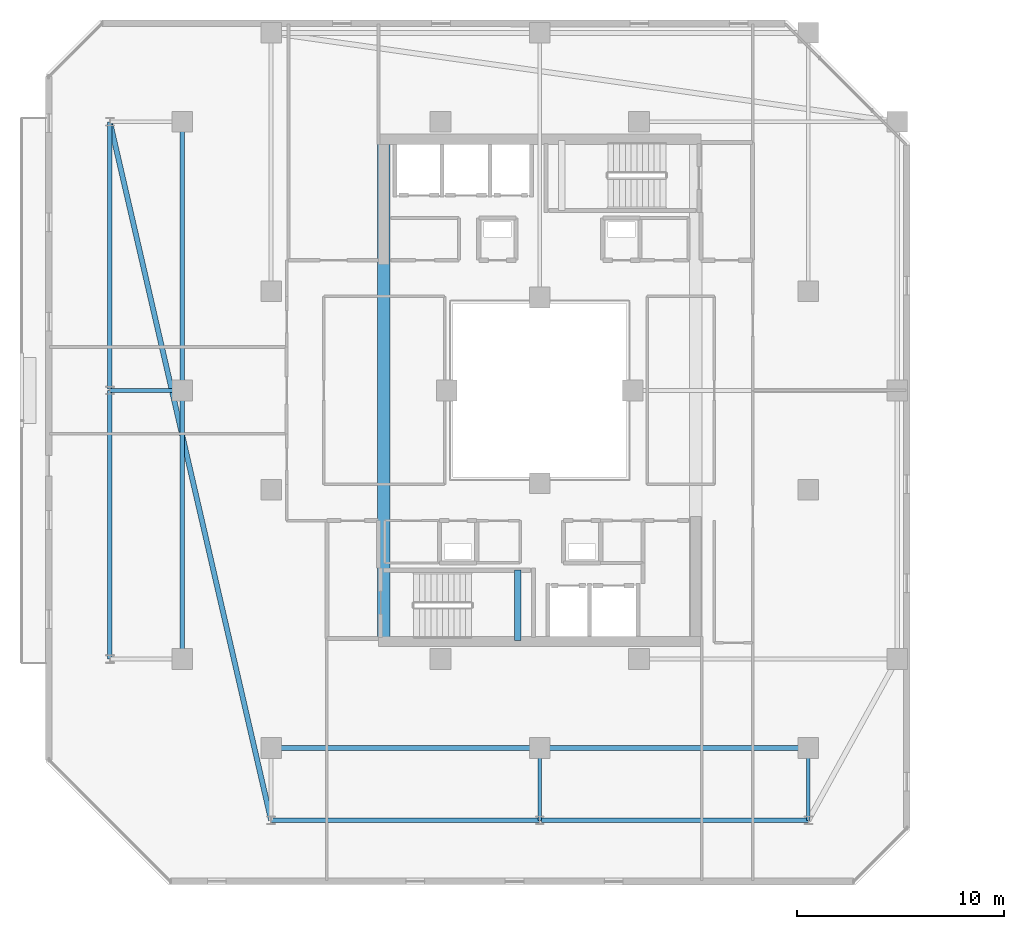
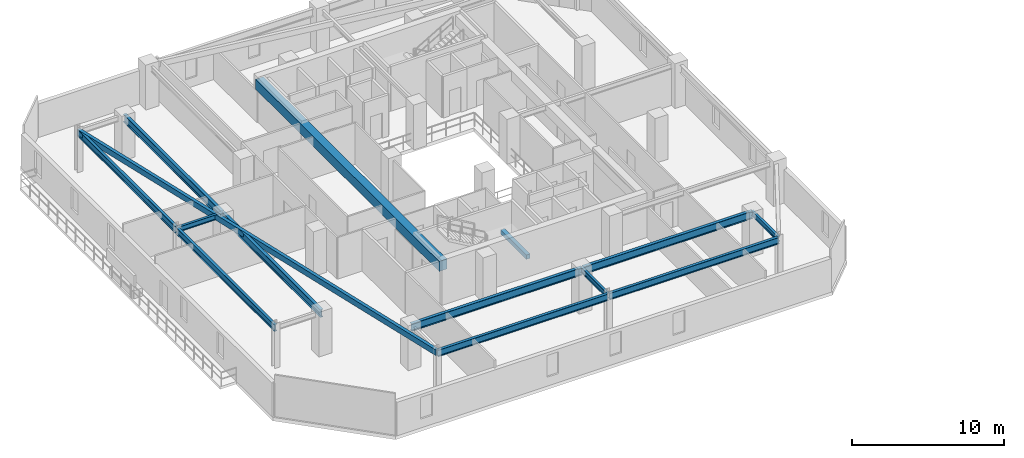
# One storey, part 4 of 31: 14 beams.
"""IFC4 building model written with IfcOpenShell, lengths in metres."""

from ifc_helpers import new_model, si_unit, direction, frame, origin, origin_2d, place, context, subcontext, project, spatial, rectangle, hollow_rectangle, i_section, extrude, material, material_profile, profile_set, type_object, element, save


model = new_model("IFC4")

# Units and contexts
model_context = context("Model", 3, precision=1e-05, world=origin(), true_north=direction((0.0, 1.0)))
body_context = subcontext(model_context, "Body", "Model", "MODEL_VIEW")
ifc_project = project(units=[si_unit("LENGTHUNIT", "METRE"), si_unit("AREAUNIT", "SQUARE_METRE"), si_unit("VOLUMEUNIT", "CUBIC_METRE"), si_unit("PLANEANGLEUNIT", "RADIAN"), si_unit("MASSUNIT", "GRAM", prefix="KILO")], contexts=[model_context])

# Site, building, storey
site_placement = place(None, origin())
site = spatial("IfcSite", under=ifc_project, at=site_placement, CompositionType="ELEMENT")
building_placement = place(site_placement, origin())
building = spatial("IfcBuilding", under=site, at=building_placement, Name="Thornwick Lancets Civic Towers", CompositionType="ELEMENT")
storey_placement = place(building_placement, frame((0.0, 0.0, 233.10009765625)))
storey = spatial("IfcBuildingStorey", under=building, at=storey_placement, Name="L62", CompositionType="ELEMENT", Elevation=233.10009765625)

# Beams
ifc_material_1 = material(Name="Concrete C60/75", Category="concrete")
ifc_material_profile_1 = material_profile(ifc_material_1, rectangle(XDim=0.60009765625, YDim=0.800048828125, at=origin_2d()), Name="RC 600x800")
ifc_profile_set_1 = profile_set([ifc_material_profile_1], Name="Concrete C60/75")
beam_type_1 = type_object("IfcBeamType", Name="BM_COUP_RC800", PredefinedType="BEAM", material=ifc_profile_set_1)
beam_1_placement = place(storey_placement, frame((17.949951171875, 14.89990234375, 2.9599609375), z_axis=(0.0, 1.0, 0.0), x_axis=(-1.0, 0.0, 0.0)))
element("IfcBeam", 1, at=beam_1_placement, inside=storey, type_object=beam_type_1, Name="CB-L62-A2", PredefinedType="BEAM", context=body_context, shape_type="SweptSolid", body=[
    extrude(rectangle(XDim=0.60009765625, YDim=0.800048828125, at=origin_2d()), origin(), (0.0, 0.0, 1.0), 24.2001953125),
])
ifc_material_2 = material(Name="Steel S355JR", Category="steel")
ifc_material_profile_2 = material_profile(ifc_material_2, i_section(OverallWidth=0.210693359375, OverallDepth=0.53955078125, WebThickness=0.01171875, FlangeThickness=0.018798828125, FilletRadius=0.0126953125, at=origin_2d()), Name="UKB 533x210x109")
ifc_profile_set_2 = profile_set([ifc_material_profile_2], Name="Steel S355JR")
beam_type_2 = type_object("IfcBeamType", Name="BM_EDGE_533_109", PredefinedType="SPANDREL", material=ifc_profile_set_2)
beam_2_placement = place(storey_placement, frame((12.5, 6.199951171875, 3.090087890625), z_axis=(1.0, 0.0, 0.0), x_axis=(0.0, 1.0, 0.0)))
element("IfcBeam", 2, at=beam_2_placement, inside=storey, type_object=beam_type_2, Name="BM-EDGE-L62-A-S0-1", PredefinedType="SPANDREL", context=body_context, shape_type="SweptSolid", body=[
    extrude(i_section(OverallWidth=0.210693359375, OverallDepth=0.53955078125, WebThickness=0.01171875, FlangeThickness=0.018798828125, FilletRadius=0.0126953125, at=origin_2d()), origin(), (0.0, 0.0, 1.0), 13.0),
])
beam_3_placement = place(storey_placement, frame((25.580078125, 6.199951171875, 3.090087890625), z_axis=(1.0, 0.0, 0.0), x_axis=(0.0, 1.0, 0.0)))
element("IfcBeam", 3, at=beam_3_placement, inside=storey, type_object=beam_type_2, Name="BM-EDGE-L62-A-S0-2", PredefinedType="SPANDREL", context=body_context, shape_type="SweptSolid", body=[
    extrude(i_section(OverallWidth=0.210693359375, OverallDepth=0.53955078125, WebThickness=0.01171875, FlangeThickness=0.018798828125, FilletRadius=0.0126953125, at=origin_2d()), origin(), (0.0, 0.0, 1.0), 12.919921875),
])
beam_4_placement = place(storey_placement, frame((4.699951171875, 14.0, 3.090087890625), z_axis=(0.0, 1.0, 0.0), x_axis=(-1.0, 0.0, 0.0)))
element("IfcBeam", 4, at=beam_4_placement, inside=storey, type_object=beam_type_2, Name="BM-EDGE-L62-A-S3-1", PredefinedType="SPANDREL", context=body_context, shape_type="SweptSolid", body=[
    extrude(i_section(OverallWidth=0.210693359375, OverallDepth=0.53955078125, WebThickness=0.01171875, FlangeThickness=0.018798828125, FilletRadius=0.0126953125, at=origin_2d()), origin(), (0.0, 0.0, 1.0), 13.0),
])
beam_5_placement = place(storey_placement, frame((4.699951171875, 27.080078125, 3.090087890625), z_axis=(0.0, 1.0, 0.0), x_axis=(-1.0, 0.0, 0.0)))
element("IfcBeam", 5, at=beam_5_placement, inside=storey, type_object=beam_type_2, Name="BM-EDGE-L62-A-S3-2", PredefinedType="SPANDREL", context=body_context, shape_type="SweptSolid", body=[
    extrude(i_section(OverallWidth=0.210693359375, OverallDepth=0.53955078125, WebThickness=0.01171875, FlangeThickness=0.018798828125, FilletRadius=0.0126953125, at=origin_2d()), origin(), (0.0, 0.0, 1.0), 12.919921875),
])
ifc_material_profile_3 = material_profile(ifc_material_2, i_section(OverallWidth=0.230224609375, OverallDepth=0.6171875, WebThickness=0.01318359375, FlangeThickness=0.022216796875, FilletRadius=0.0126953125, at=origin_2d()), Name="UKB 610x229x140")
ifc_profile_set_3 = profile_set([ifc_material_profile_3], Name="Steel S355JR")
beam_type_3 = type_object("IfcBeamType", Name="BM_GIRD_610_140", PredefinedType="BEAM", material=ifc_profile_set_3)
beam_6_placement = place(storey_placement, frame((12.5, 9.699951171875, 3.05126953125), z_axis=(1.0, 0.0, 0.0), x_axis=(0.0, 1.0, 0.0)))
element("IfcBeam", 6, at=beam_6_placement, inside=storey, type_object=beam_type_3, Name="BM-SPINE-L62-A-0-1", PredefinedType="BEAM", context=body_context, shape_type="SweptSolid", body=[
    extrude(i_section(OverallWidth=0.230224609375, OverallDepth=0.6171875, WebThickness=0.01318359375, FlangeThickness=0.022216796875, FilletRadius=0.0126953125, at=origin_2d()), origin(), (0.0, 0.0, 1.0), 13.0),
])
beam_7_placement = place(storey_placement, frame((25.580078125, 9.699951171875, 3.05126953125), z_axis=(1.0, 0.0, 0.0), x_axis=(0.0, 1.0, 0.0)))
element("IfcBeam", 7, at=beam_7_placement, inside=storey, type_object=beam_type_3, Name="BM-SPINE-L62-A-1-2", PredefinedType="BEAM", context=body_context, shape_type="SweptSolid", body=[
    extrude(i_section(OverallWidth=0.230224609375, OverallDepth=0.6171875, WebThickness=0.01318359375, FlangeThickness=0.022216796875, FilletRadius=0.0126953125, at=origin_2d()), origin(), (0.0, 0.0, 1.0), 12.919921875),
])
beam_8_placement = place(storey_placement, frame((8.199951171875, 14.0, 3.05126953125), z_axis=(0.0, 1.0, 0.0), x_axis=(-1.0, 0.0, 0.0)))
element("IfcBeam", 8, at=beam_8_placement, inside=storey, type_object=beam_type_3, Name="BM-SPINE-L62-A-9-10", PredefinedType="BEAM", context=body_context, shape_type="SweptSolid", body=[
    extrude(i_section(OverallWidth=0.230224609375, OverallDepth=0.6171875, WebThickness=0.01318359375, FlangeThickness=0.022216796875, FilletRadius=0.0126953125, at=origin_2d()), origin(), (0.0, 0.0, 1.0), 13.0),
])
beam_9_placement = place(storey_placement, frame((8.199951171875, 27.080078125, 3.05126953125), z_axis=(0.0, 1.0, 0.0), x_axis=(-1.0, 0.0, 0.0)))
element("IfcBeam", 9, at=beam_9_placement, inside=storey, type_object=beam_type_3, Name="BM-SPINE-L62-A-10-11", PredefinedType="BEAM", context=body_context, shape_type="SweptSolid", body=[
    extrude(i_section(OverallWidth=0.230224609375, OverallDepth=0.6171875, WebThickness=0.01318359375, FlangeThickness=0.022216796875, FilletRadius=0.0126953125, at=origin_2d()), origin(), (0.0, 0.0, 1.0), 12.919921875),
])
ifc_material_profile_4 = material_profile(ifc_material_2, i_section(OverallWidth=0.179443359375, OverallDepth=0.412841796875, WebThickness=0.009521484375, FlangeThickness=0.01611328125, FilletRadius=0.01025390625, at=origin_2d()), Name="UKB 406x178x74")
ifc_profile_set_4 = profile_set([ifc_material_profile_4], Name="Steel S355JR")
beam_type_4 = type_object("IfcBeamType", Name="BM_JOIST_406_74", PredefinedType="JOIST", material=ifc_profile_set_4)
for number, where, z_axis, x_axis, name in (
    (10, (25.5, 9.699951171875, 3.153564453125), (0.0, -1.0, 0.0), (1.0, 0.0, 0.0), "BM-RAD-L62-A02"),
    (11, (38.5, 9.699951171875, 3.153564453125), (0.0, -1.0, 0.0), (1.0, 0.0, 0.0), "BM-RAD-L62-A03"),
    (12, (8.199951171875, 27.0, 3.153564453125), (-1.0, 0.0, 0.0), (0.0, -1.0, 0.0), "BM-RAD-L62-A11"),
):
    element("IfcBeam", number, at=place(storey_placement, frame(where, z_axis=z_axis, x_axis=x_axis)), inside=storey, type_object=beam_type_4, Name=name, PredefinedType="JOIST", context=body_context, shape_type="SweptSolid", body=[
        extrude(i_section(OverallWidth=0.179443359375, OverallDepth=0.412841796875, WebThickness=0.009521484375, FlangeThickness=0.01611328125, FilletRadius=0.01025390625, at=origin_2d()), origin(), (0.0, 0.0, 1.0), 3.5),
    ])
ifc_material_profile_5 = material_profile(ifc_material_2, hollow_rectangle(XDim=0.25, YDim=0.449951171875, WallThickness=0.01611328125, at=origin_2d()), Name="RHS 450x250x16")
ifc_profile_set_5 = profile_set([ifc_material_profile_5], Name="Steel S355JR")
beam_type_5 = type_object("IfcBeamType", Name="BM_RING_RHS450", PredefinedType="BEAM", material=ifc_profile_set_5)
beam_10_placement = place(storey_placement, frame((4.699951171875, 40.0, 3.135009765625), z_axis=(0.224860534737, -0.974390958454, 0.0), x_axis=(0.974390958454, 0.224860534737, 0.0)))
element("IfcBeam", 13, at=beam_10_placement, inside=storey, type_object=beam_type_5, Name="BM-CHAMF-L62-A-C3", PredefinedType="BEAM", context=body_context, shape_type="SweptSolid", body=[
    extrude(hollow_rectangle(XDim=0.25, YDim=0.449951171875, WallThickness=0.01611328125, at=origin_2d()), origin(), (0.0, 0.0, 1.0), 34.6884765625),
])
ifc_material_3 = material(Name="Concrete C40/50", Category="concrete")
ifc_material_profile_6 = material_profile(ifc_material_3, rectangle(XDim=0.300048828125, YDim=0.35009765625, at=origin_2d()), Name="RC 300x350")
ifc_profile_set_6 = profile_set([ifc_material_profile_6], Name="Concrete C40/50")
beam_type_6 = type_object("IfcBeamType", Name="BM_STAIR_LDG", PredefinedType="BEAM", material=ifc_profile_set_6)
beam_11_placement = place(storey_placement, frame((24.43505859375, 14.89990234375, 1.3779296875), z_axis=(0.0, 1.0, 0.0), x_axis=(-1.0, 0.0, 0.0)))
element("IfcBeam", 14, at=beam_11_placement, inside=storey, type_object=beam_type_6, Name="L62 ST-A1 Landing Support Beam 1", PredefinedType="BEAM", context=body_context, shape_type="SweptSolid", body=[
    extrude(rectangle(XDim=0.300048828125, YDim=0.35009765625, at=origin_2d()), origin(), (0.0, 0.0, 1.0), 3.400146484375),
])

save(model, "model.ifc")
